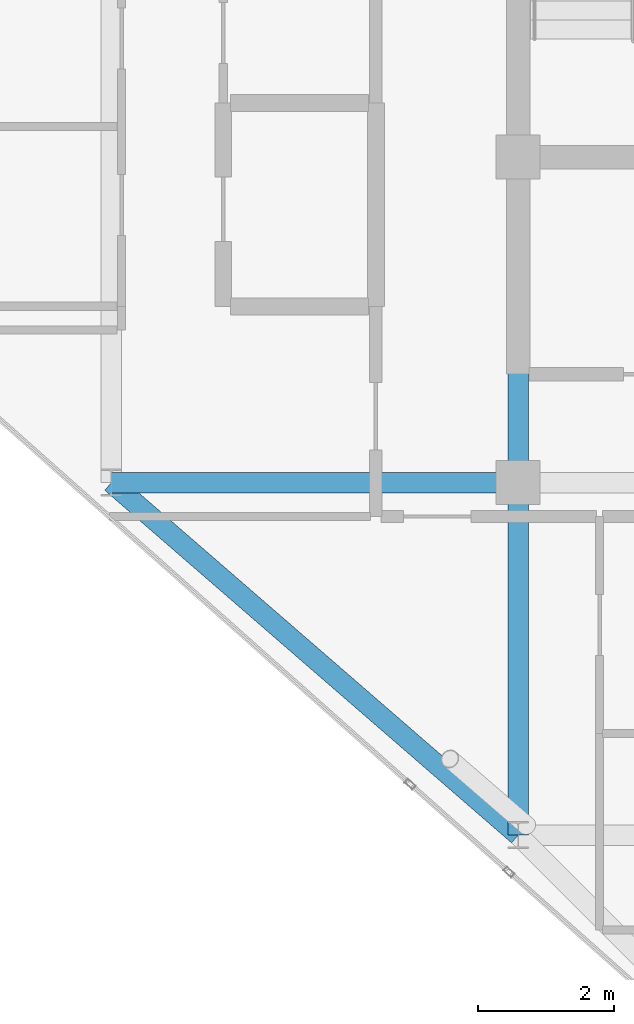
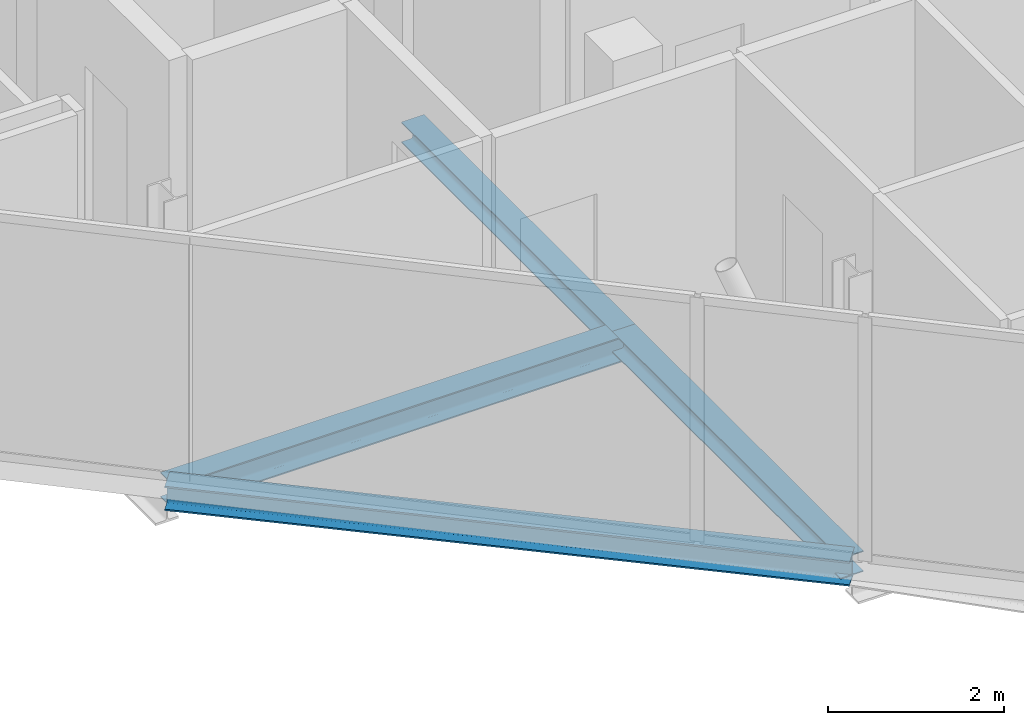
# One storey, part 5 of 27: 4 beams.
"""IFC4 building model written with IfcOpenShell, lengths in metres."""

from ifc_helpers import new_model, si_unit, direction, frame, origin, origin_2d, place, context, subcontext, project, spatial, i_section, extrude, material, material_profile, profile_set, type_object, element, save


model = new_model("IFC4")

# Units and contexts
model_context = context("Model", 3, precision=1e-05, world=origin(), true_north=direction((0.0, 1.0)))
body_context = subcontext(model_context, "Body", "Model", "MODEL_VIEW")
ifc_project = project(units=[si_unit("LENGTHUNIT", "METRE"), si_unit("AREAUNIT", "SQUARE_METRE"), si_unit("VOLUMEUNIT", "CUBIC_METRE"), si_unit("PLANEANGLEUNIT", "RADIAN"), si_unit("MASSUNIT", "GRAM", prefix="KILO")], contexts=[model_context])

# Site, building, storey
site_placement = place(None, origin())
site = spatial("IfcSite", under=ifc_project, at=site_placement, CompositionType="ELEMENT")
building_placement = place(site_placement, origin())
building = spatial("IfcBuilding", under=site, at=building_placement, Name="Keshet Zoharim Tower", CompositionType="ELEMENT")
storey_placement = place(building_placement, frame((0.0, 0.0, 307.300048828125)))
storey = spatial("IfcBuildingStorey", under=building, at=storey_placement, Name="L77", CompositionType="ELEMENT", Elevation=307.300048828125)

# Beams
ifc_material = material(Name="Steel S355", Category="steel")
ifc_material_profile_1 = material_profile(ifc_material, i_section(OverallWidth=0.300048828125, OverallDepth=0.2900390625, WebThickness=0.008544921875, FlangeThickness=0.013916015625, FilletRadius=0.027099609375, at=origin_2d()), Name="HEA300")
ifc_profile_set_1 = profile_set([ifc_material_profile_1], Name="Steel S355")
beam_type_1 = type_object("IfcBeamType", Name="BM-PRI-HA300", PredefinedType="BEAM", material=ifc_profile_set_1)
beam_1_placement = place(storey_placement, frame((15.0, 12.699951171875, -0.455078125), z_axis=(0.0, 1.0, 0.0), x_axis=(-1.0, 0.0, 0.0)))
element("IfcBeam", 1, at=beam_1_placement, inside=storey, type_object=beam_type_1, Name="L77 Primary Girder Y-002", PredefinedType="BEAM", context=body_context, shape_type="SweptSolid", body=[
    extrude(i_section(OverallWidth=0.300048828125, OverallDepth=0.2900390625, WebThickness=0.008544921875, FlangeThickness=0.013916015625, FilletRadius=0.027099609375, at=origin_2d()), origin(), (0.0, 0.0, 1.0), 5.199951171875),
])
beam_2_placement = place(storey_placement, frame((15.0, 17.89990234375, -0.455078125), z_axis=(0.0, 1.0, 0.0), x_axis=(-1.0, 0.0, 0.0)))
element("IfcBeam", 2, at=beam_2_placement, inside=storey, type_object=beam_type_1, Name="L77 Primary Girder Y-003", PredefinedType="BEAM", context=body_context, shape_type="SweptSolid", body=[
    extrude(i_section(OverallWidth=0.300048828125, OverallDepth=0.2900390625, WebThickness=0.008544921875, FlangeThickness=0.013916015625, FilletRadius=0.027099609375, at=origin_2d()), origin(), (0.0, 0.0, 1.0), 4.800048828125),
])
ifc_material_profile_2 = material_profile(ifc_material, i_section(OverallWidth=0.300048828125, OverallDepth=0.35009765625, WebThickness=0.010009765625, FlangeThickness=0.017578125, FilletRadius=0.027099609375, at=origin_2d()), Name="HEA360")
ifc_profile_set_2 = profile_set([ifc_material_profile_2], Name="Steel S355")
beam_type_2 = type_object("IfcBeamType", Name="BM-PRI-HA360", PredefinedType="BEAM", material=ifc_profile_set_2)
beam_3_placement = place(storey_placement, frame((9.0, 17.89990234375, -0.485107421875), z_axis=(1.0, 0.0, 0.0), x_axis=(0.0, 1.0, 0.0)))
element("IfcBeam", 3, at=beam_3_placement, inside=storey, type_object=beam_type_2, Name="L77 Primary Girder X-005", PredefinedType="BEAM", context=body_context, shape_type="SweptSolid", body=[
    extrude(i_section(OverallWidth=0.300048828125, OverallDepth=0.35009765625, WebThickness=0.010009765625, FlangeThickness=0.017578125, FilletRadius=0.027099609375, at=origin_2d()), origin(), (0.0, 0.0, 1.0), 6.0),
])
ifc_material_profile_3 = material_profile(ifc_material, i_section(OverallWidth=0.300048828125, OverallDepth=0.340087890625, WebThickness=0.011962890625, FlangeThickness=0.021484375, FilletRadius=0.027099609375, at=origin_2d()), Name="HEB340")
ifc_profile_set_3 = profile_set([ifc_material_profile_3], Name="Steel S355")
beam_type_3 = type_object("IfcBeamType", Name="BM-SPN-HB340", PredefinedType="SPANDREL", material=ifc_profile_set_3)
beam_4_placement = place(storey_placement, frame((9.0, 17.89990234375, -0.47998046875), z_axis=(0.755692126483, -0.654927026447, 0.0), x_axis=(0.654927026447, 0.755692126483, 0.0)))
element("IfcBeam", 4, at=beam_4_placement, inside=storey, type_object=beam_type_3, Name="L77 Perimeter Spandrel Beam 02", PredefinedType="SPANDREL", context=body_context, shape_type="SweptSolid", body=[
    extrude(i_section(OverallWidth=0.300048828125, OverallDepth=0.340087890625, WebThickness=0.011962890625, FlangeThickness=0.021484375, FilletRadius=0.027099609375, at=origin_2d()), origin(), (0.0, 0.0, 1.0), 7.939697265625),
])

save(model, "model.ifc")
